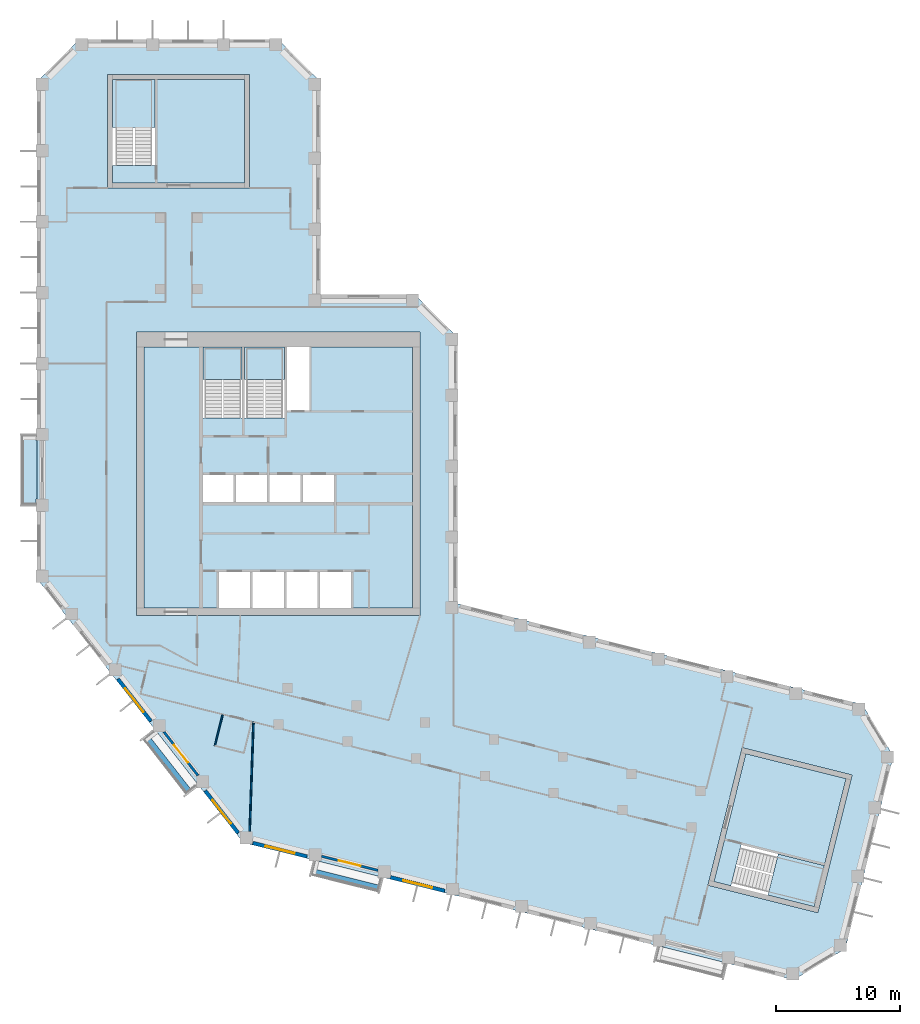
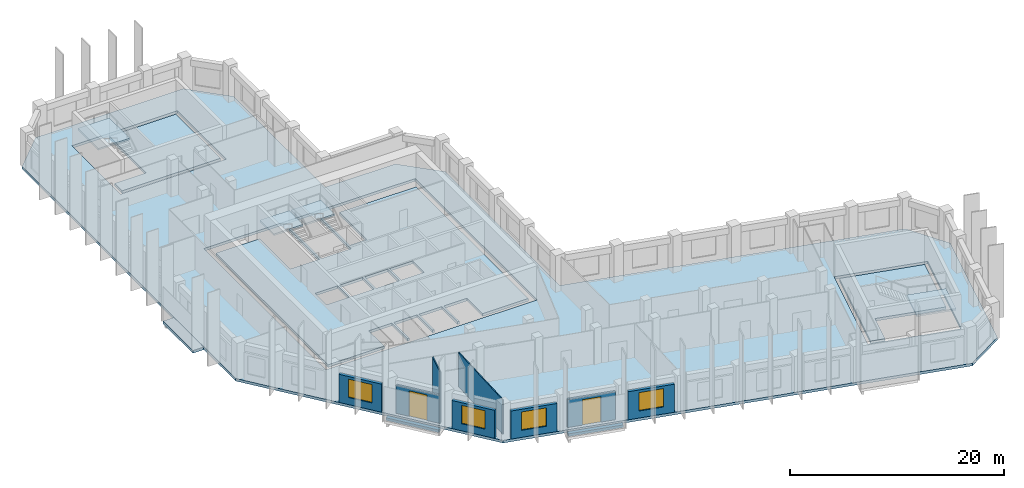
# One storey, part 2 of 9: 10 walls, 9 slabs, 4 windows, 2 doors, 6 openings, 4 elements without a shape of their own.
"""IFC4 building model written with IfcOpenShell, lengths in metres."""

from ifc_helpers import new_model, si_unit, direction, frame, frame_2d, origin, place, context, subcontext, project, spatial, polyline, rectangle, outline, extrude, material, layer, layer_set, type_object, element, fill, aggregate, save


model = new_model("IFC4")

# Units and contexts
model_context = context("Model", 3, precision=1e-05, world=origin(), true_north=direction((0.0, 1.0)))
body_context = subcontext(model_context, "Body", "Model", "MODEL_VIEW")
ifc_project = project(units=[si_unit("LENGTHUNIT", "METRE"), si_unit("AREAUNIT", "SQUARE_METRE"), si_unit("VOLUMEUNIT", "CUBIC_METRE"), si_unit("PLANEANGLEUNIT", "RADIAN"), si_unit("MASSUNIT", "GRAM", prefix="KILO")], contexts=[model_context])

# Site, building, storey
site_placement = place(None, origin())
site = spatial("IfcSite", under=ifc_project, at=site_placement, CompositionType="ELEMENT")
building_placement = place(site_placement, origin())
building = spatial("IfcBuilding", under=site, at=building_placement, Name="Meshkara Civic Tower", CompositionType="ELEMENT")
storey_placement = place(building_placement, frame((0.0, 0.0, 340.199951171875)))
storey = spatial("IfcBuildingStorey", under=building, at=storey_placement, Name="L78", CompositionType="ELEMENT", Elevation=340.199951171875)

# Slabs
ifc_material_1 = material(Name="Concrete C40", Category="concrete")
ifc_layer_1 = layer(ifc_material_1, 0.300048828125)
ifc_layer_set_1 = layer_set([ifc_layer_1], Name="BALCONY SLAB")
slab_type_1 = type_object("IfcSlabType", Name="BALCONY SLAB", PredefinedType="FLOOR", material=ifc_layer_set_1)
slab_1_placement = place(storey_placement, frame((0.0, 0.0, -0.300048828125)))
element("IfcSlab", 1, at=slab_1_placement, inside=storey, type_object=slab_type_1, Name="Balcony slab", PredefinedType="FLOOR", context=body_context, shape_type="SweptSolid", body=[
    extrude(outline(polyline([(-1.199951171875, 23.014892578125), (-1.199951171875, 28.594970703125), (-0.050048828125, 28.594970703125), (-0.050048828125, 28.155029296875), (0.0, 28.155029296875), (0.0, 23.455078125), (-0.050048828125, 23.455078125), (-0.050048828125, 23.014892578125), (-1.199951171875, 23.014892578125)])), origin(), (0.0, 0.0, 1.0), 0.300048828125),
])
ifc_material_2 = material(Name="Concrete C40/50", Category="concrete")
ifc_layer_2 = layer(ifc_material_2, 0.300048828125)
ifc_layer_set_2 = layer_set([ifc_layer_2], Name="Core floor slab 300 C40/50")
slab_type_2 = type_object("IfcSlabType", Name="Core floor slab 300 C40/50", PredefinedType="FLOOR", material=ifc_layer_set_2)
slab_2_placement = place(storey_placement, frame((0.0, 0.0, -0.300048828125)))
element("IfcSlab", 2, at=slab_2_placement, inside=storey, type_object=slab_type_2, Name="Core floor K", PredefinedType="FLOOR", context=body_context, shape_type="SweptSolid", body=[
    extrude(outline(polyline([(8.60009765625, 35.699951171875), (13.35009765625, 35.699951171875), (13.35009765625, 30.00146484375), (16.5, 30.00146484375), (16.5, 35.699951171875), (16.699951171875, 35.699951171875), (16.699951171875, 30.00146484375), (19.89990234375, 30.00146484375), (19.89990234375, 35.699951171875), (20.10009765625, 35.699951171875), (20.10009765625, 30.574951171875), (21.925048828125, 30.574951171875), (21.925048828125, 35.699951171875), (30.199951171875, 35.699951171875), (30.199951171875, 14.699951171875), (25.25, 14.699951171875), (25.25, 17.60009765625), (22.75, 17.60009765625), (22.75, 14.699951171875), (22.550048828125, 14.699951171875), (22.550048828125, 17.60009765625), (20.050048828125, 17.60009765625), (20.050048828125, 14.699951171875), (19.85009765625, 14.699951171875), (19.85009765625, 17.60009765625), (17.35009765625, 17.60009765625), (17.35009765625, 14.699951171875), (17.14990234375, 14.699951171875), (17.14990234375, 17.60009765625), (14.64990234375, 17.60009765625), (14.64990234375, 14.699951171875), (8.60009765625, 14.699951171875), (8.60009765625, 35.699951171875)]), holes=[polyline([(13.35009765625, 23.25), (15.800048828125, 23.25), (15.800048828125, 25.39990234375), (13.35009765625, 25.39990234375), (13.35009765625, 23.25)]), polyline([(18.5, 23.25), (18.5, 25.39990234375), (16.0, 25.39990234375), (16.0, 23.25), (18.5, 23.25)]), polyline([(18.699951171875, 23.25), (21.199951171875, 23.25), (21.199951171875, 25.39990234375), (18.699951171875, 25.39990234375), (18.699951171875, 23.25)]), polyline([(23.89990234375, 23.25), (23.89990234375, 25.39990234375), (21.39990234375, 25.39990234375), (21.39990234375, 23.25), (23.89990234375, 23.25)])]), origin(), (0.0, 0.0, 1.0), 0.300048828125),
])
slab_3_placement = place(storey_placement, frame((0.0, 0.0, -0.300048828125)))
element("IfcSlab", 3, at=slab_3_placement, inside=storey, type_object=slab_type_2, Name="Core floor EA", PredefinedType="FLOOR", context=body_context, shape_type="SweptSolid", body=[
    extrude(outline(polyline([(16.699951171875, 48.8701171875), (16.699951171875, 57.169921875), (9.5, 57.169921875), (9.5, 50.271484375), (6.10009765625, 50.271484375), (6.10009765625, 48.8701171875), (16.699951171875, 48.8701171875)])), origin(), (0.0, 0.0, 1.0), 0.300048828125),
])
slab_4_placement = place(storey_placement, frame((0.0, 0.0, -0.300048828125)))
element("IfcSlab", 4, at=slab_4_placement, inside=storey, type_object=slab_type_2, Name="Core floor EB", PredefinedType="FLOOR", context=body_context, shape_type="SweptSolid", body=[
    extrude(outline(polyline([(56.989013671875, 3.002197265625), (65.04248046875, 0.994384765625), (63.30078125, -5.99169921875), (56.607177734375, -4.322998046875), (55.78466796875, -7.621826171875), (54.4248046875, -7.282958984375), (56.989013671875, 3.002197265625)])), origin(), (0.0, 0.0, 1.0), 0.300048828125),
])

# Stair, slab
ifc_material_3 = material(Name="Precast concrete C40/50", Category="concrete")
stair_type = type_object("IfcStairType", Name="Exit stair half-turn 24 risers precast", PredefinedType="HALF_TURN_STAIR", material=ifc_material_3)
stair_1_placement = place(storey_placement, origin())
stair_1 = element("IfcStair", 5, at=stair_1_placement, inside=storey, type_object=stair_type, Name="L78 exit stair 1", PredefinedType="HALF_TURN_STAIR")
ifc_material_4 = material(Name="Precast concrete C40/50", Category="concrete")
ifc_layer_3 = layer(ifc_material_4, 0.199951171875)
ifc_layer_set_3 = layer_set([ifc_layer_3], Name="Exit stair landing 200")
slab_type_3 = type_object("IfcSlabType", Name="Exit stair landing 200", PredefinedType="LANDING", material=ifc_layer_set_3)
slab_5_placement = place(storey_placement, frame((0.0, 0.0, 1.900146484375)))
slab_5 = element("IfcSlab", 6, at=slab_5_placement, type_object=slab_type_3, Name="ST1 landing 1", PredefinedType="LANDING", context=body_context, shape_type="SweptSolid", body=[
    extrude(outline(polyline([(16.5, 33.07861328125), (16.5, 35.699951171875), (13.35009765625, 35.699951171875), (13.35009765625, 33.07861328125), (16.5, 33.07861328125)])), origin(), (0.0, 0.0, 1.0), 0.199951171875),
])
aggregate(stair_1, [slab_5])

stair_2_placement = place(storey_placement, origin())
stair_2 = element("IfcStair", 7, at=stair_2_placement, inside=storey, type_object=stair_type, Name="L78 exit stair 2", PredefinedType="HALF_TURN_STAIR")
slab_6_placement = place(storey_placement, frame((0.0, 0.0, 1.900146484375)))
slab_6 = element("IfcSlab", 8, at=slab_6_placement, type_object=slab_type_3, Name="ST2 landing 1", PredefinedType="LANDING", context=body_context, shape_type="SweptSolid", body=[
    extrude(outline(polyline([(19.89990234375, 33.07861328125), (19.89990234375, 35.699951171875), (16.699951171875, 35.699951171875), (16.699951171875, 33.07861328125), (19.89990234375, 33.07861328125)])), origin(), (0.0, 0.0, 1.0), 0.199951171875),
])
aggregate(stair_2, [slab_6])

stair_3_placement = place(storey_placement, origin())
stair_3 = element("IfcStair", 9, at=stair_3_placement, inside=storey, type_object=stair_type, Name="L78 exit stair A from L65", PredefinedType="HALF_TURN_STAIR")
slab_7_placement = place(storey_placement, frame((0.0, 0.0, 1.900146484375)))
slab_7 = element("IfcSlab", 10, at=slab_7_placement, type_object=slab_type_3, Name="ESA5 landing 1", PredefinedType="LANDING", context=body_context, shape_type="SweptSolid", body=[
    extrude(outline(polyline([(9.5, 53.348388671875), (9.5, 57.169921875), (6.10009765625, 57.169921875), (6.10009765625, 53.348388671875), (9.5, 53.348388671875)])), origin(), (0.0, 0.0, 1.0), 0.199951171875),
])
aggregate(stair_3, [slab_7])

stair_4_placement = place(storey_placement, origin())
stair_4 = element("IfcStair", 11, at=stair_4_placement, inside=storey, type_object=stair_type, Name="L78 exit stair B from L65", PredefinedType="HALF_TURN_STAIR")
slab_8_placement = place(storey_placement, frame((0.0, 0.0, 1.900146484375)))
slab_8 = element("IfcSlab", 12, at=slab_8_placement, type_object=slab_type_3, Name="ESB5 landing 1", PredefinedType="LANDING", context=body_context, shape_type="SweptSolid", body=[
    extrude(outline(polyline([(58.769775390625, -8.366943359375), (62.477783203125, -9.2919921875), (63.301025390625, -5.991943359375), (59.593017578125, -5.06689453125), (58.769775390625, -8.366943359375)])), origin(), (0.0, 0.0, 1.0), 0.199951171875),
])
aggregate(stair_4, [slab_8])

# Slab
ifc_material_5 = material(Name="Concrete C50", Category="concrete")
ifc_layer_4 = layer(ifc_material_5, 0.300048828125)
ifc_layer_set_4 = layer_set([ifc_layer_4], Name="Post-tensioned flat slab 300 C50")
slab_type_4 = type_object("IfcSlabType", Name="Post-tensioned flat slab 300 C50", PredefinedType="FLOOR", material=ifc_layer_set_4)
slab_9_placement = place(storey_placement, frame((0.0, 0.0, -0.300048828125)))
element("IfcSlab", 13, at=slab_9_placement, inside=storey, type_object=slab_type_4, Name="Post-tensioned flat slab L78", PredefinedType="FLOOR", context=body_context, shape_type="SweptSolid", body=[
    extrude(outline(polyline([(64.98291015625, -12.677001953125), (60.837890625, -15.1689453125), (16.592041015625, -4.136962890625), (0.0, 17.10009765625), (0.0, 57.0), (3.419921875, 60.419921875), (19.3798828125, 60.419921875), (22.800048828125, 57.0), (22.800048828125, 39.89990234375), (30.3798828125, 39.89990234375), (33.800048828125, 36.47998046875), (33.800048828125, 15.071044921875), (66.35302734375, 6.9541015625), (68.843994140625, 2.80810546875), (64.98291015625, -12.677001953125)]), holes=[polyline([(62.77001953125, -9.77587890625), (65.527099609375, 1.285888671875), (56.697998046875, 3.487060546875), (53.93994140625, -7.573974609375), (62.77001953125, -9.77587890625)]), polyline([(8.0, 14.10009765625), (30.800048828125, 14.10009765625), (30.800048828125, 36.89990234375), (8.0, 36.89990234375), (8.0, 14.10009765625)]), polyline([(5.699951171875, 57.570068359375), (5.699951171875, 48.469970703125), (17.10009765625, 48.469970703125), (17.10009765625, 57.570068359375), (5.699951171875, 57.570068359375)])]), origin(), (0.0, 0.0, 1.0), 0.300048828125),
])

# Wall, opening, window
ifc_material_6 = material(Name="Insulated infill panel with bronze anodised aluminium cladding", Category="aluminium")
ifc_layer_5 = layer(ifc_material_6, 0.300048828125)
ifc_layer_set_5 = layer_set([ifc_layer_5], Name="EXTERNAL INFILL WALL 300")
wall_type_1 = type_object("IfcWallType", Name="EXTERNAL INFILL WALL 300", PredefinedType="SOLIDWALL", material=ifc_layer_set_5)
wall_1_placement = place(storey_placement, frame((6.51904296875, 9.0, 0.0), z_axis=(0.0, 0.0, 1.0), x_axis=(0.615634121154, -0.788032124263, 0.0)))
wall_1 = element("IfcWall", 14, at=wall_1_placement, inside=storey, type_object=wall_type_1, Name="External wall", PredefinedType="SOLIDWALL", context=body_context, shape_type="SweptSolid", body=[
    extrude(rectangle(XDim=4.298095703125, YDim=0.300048828125, at=frame_2d((2.14892578125, 0.0))), origin(), (0.0, 0.0, 1.0), 3.199951171875),
])
opening_1_placement = place(wall_1_placement, frame((0.948974609375, 0.0, 0.800048828125)))
opening_1 = element("IfcOpeningElement", 15, at=opening_1_placement, cuts=wall_1, Name="Opening W7", PredefinedType="OPENING", context=body_context, shape_type="SweptSolid", body=[
    extrude(rectangle(XDim=2.39990234375, YDim=2.10009765625, at=frame_2d((1.199951171875, 1.050048828125))), frame((0.0, 0.159912109375, 0.0), z_axis=(0.0, -1.0, 0.0), x_axis=(1.0, 0.0, 0.0)), (0.0, 0.0, 1.0), 0.320068359375),
])
ifc_material_7 = material(Name="Tinted double glazing", Category="glass")
window_type = type_object("IfcWindowType", Name="WINDOW 2400x2100", PartitioningType="DOUBLE_PANEL_VERTICAL", PredefinedType="WINDOW", material=ifc_material_7)
window_1_placement = place(opening_1_placement, origin())
window_1 = element("IfcWindow", 16, at=window_1_placement, inside=storey, type_object=window_type, Name="Window", OverallHeight=2.10009765625, OverallWidth=2.39990234375, PartitioningType="DOUBLE_PANEL_VERTICAL", PredefinedType="WINDOW", context=body_context, shape_type="SweptSolid", body=[
    extrude(rectangle(XDim=2.39990234375, YDim=2.10009765625, at=frame_2d((1.199951171875, 1.050048828125))), frame((0.0, 0.030029296875, 0.0), z_axis=(0.0, -1.0, 0.0), x_axis=(1.0, 0.0, 0.0)), (0.0, 0.0, 1.0), 0.06005859375),
])
fill(opening_1, window_1)

wall_2_placement = place(storey_placement, frame((13.5380859375, 0.01611328125, 0.0), z_axis=(0.0, 0.0, 1.0), x_axis=(0.615713519567, -0.787970089421, 0.0)))
wall_2 = element("IfcWall", 17, at=wall_2_placement, inside=storey, type_object=wall_type_1, Name="External wall", PredefinedType="SOLIDWALL", context=body_context, shape_type="SweptSolid", body=[
    extrude(rectangle(XDim=4.2958984375, YDim=0.300048828125, at=frame_2d((2.14794921875, 0.0))), origin(), (0.0, 0.0, 1.0), 3.199951171875),
])
opening_2_placement = place(wall_2_placement, frame((0.947998046875, 0.0, 0.800048828125)))
opening_2 = element("IfcOpeningElement", 18, at=opening_2_placement, cuts=wall_2, Name="Opening W7", PredefinedType="OPENING", context=body_context, shape_type="SweptSolid", body=[
    extrude(rectangle(XDim=2.39990234375, YDim=2.10009765625, at=frame_2d((1.199951171875, 1.050048828125))), frame((0.0, 0.159912109375, 0.0), z_axis=(0.0, -1.0, 0.0), x_axis=(1.0, 0.0, 0.0)), (0.0, 0.0, 1.0), 0.320068359375),
])
window_2_placement = place(opening_2_placement, origin())
window_2 = element("IfcWindow", 19, at=window_2_placement, inside=storey, type_object=window_type, Name="Window", OverallHeight=2.10009765625, OverallWidth=2.39990234375, PartitioningType="DOUBLE_PANEL_VERTICAL", PredefinedType="WINDOW", context=body_context, shape_type="SweptSolid", body=[
    extrude(rectangle(XDim=2.39990234375, YDim=2.10009765625, at=frame_2d((1.199951171875, 1.050048828125))), frame((0.0, 0.030029296875, 0.0), z_axis=(0.0, -1.0, 0.0), x_axis=(1.0, 0.0, 0.0)), (0.0, 0.0, 1.0), 0.06005859375),
])
fill(opening_2, window_2)

wall_3_placement = place(storey_placement, frame((17.366943359375, -4.176025390625, 0.0), z_axis=(0.0, 0.0, 1.0), x_axis=(0.970327846266, -0.241793032904, 0.0)))
wall_3 = element("IfcWall", 20, at=wall_3_placement, inside=storey, type_object=wall_type_1, Name="External wall", PredefinedType="SOLIDWALL", context=body_context, shape_type="SweptSolid", body=[
    extrude(rectangle(XDim=4.487060546875, YDim=0.300048828125, at=frame_2d((2.24365234375, 0.0))), origin(), (0.0, 0.0, 1.0), 3.199951171875),
])
opening_3_placement = place(wall_3_placement, frame((1.0439453125, 0.0, 0.800048828125)))
opening_3 = element("IfcOpeningElement", 21, at=opening_3_placement, cuts=wall_3, Name="Opening W7", PredefinedType="OPENING", context=body_context, shape_type="SweptSolid", body=[
    extrude(rectangle(XDim=2.39990234375, YDim=2.10009765625, at=frame_2d((1.199951171875, 1.050048828125))), frame((0.0, 0.159912109375, 0.0), z_axis=(0.0, -1.0, 0.0), x_axis=(1.0, 0.0, 0.0)), (0.0, 0.0, 1.0), 0.320068359375),
])
window_3_placement = place(opening_3_placement, origin())
window_3 = element("IfcWindow", 22, at=window_3_placement, inside=storey, type_object=window_type, Name="Window", OverallHeight=2.10009765625, OverallWidth=2.39990234375, PartitioningType="DOUBLE_PANEL_VERTICAL", PredefinedType="WINDOW", context=body_context, shape_type="SweptSolid", body=[
    extrude(rectangle(XDim=2.39990234375, YDim=2.10009765625, at=frame_2d((1.199951171875, 1.050048828125))), frame((0.0, 0.030029296875, 0.0), z_axis=(0.0, -1.0, 0.0), x_axis=(1.0, 0.0, 0.0)), (0.0, 0.0, 1.0), 0.06005859375),
])
fill(opening_3, window_3)

wall_4_placement = place(storey_placement, frame((28.427978515625, -6.93310546875, 0.0), z_axis=(0.0, 0.0, 1.0), x_axis=(0.970276766004, -0.241997928406, 0.0)))
wall_4 = element("IfcWall", 23, at=wall_4_placement, inside=storey, type_object=wall_type_1, Name="External wall", PredefinedType="SOLIDWALL", context=body_context, shape_type="SweptSolid", body=[
    extrude(rectangle(XDim=4.4873046875, YDim=0.300048828125, at=frame_2d((2.24365234375, 0.0))), origin(), (0.0, 0.0, 1.0), 3.199951171875),
])
opening_4_placement = place(wall_4_placement, frame((1.0439453125, 0.0, 0.800048828125)))
opening_4 = element("IfcOpeningElement", 24, at=opening_4_placement, cuts=wall_4, Name="Opening W7", PredefinedType="OPENING", context=body_context, shape_type="SweptSolid", body=[
    extrude(rectangle(XDim=2.39990234375, YDim=2.10009765625, at=frame_2d((1.199951171875, 1.050048828125))), frame((0.0, 0.159912109375, 0.0), z_axis=(0.0, -1.0, 0.0), x_axis=(1.0, 0.0, 0.0)), (0.0, 0.0, 1.0), 0.320068359375),
])
window_4_placement = place(opening_4_placement, origin())
window_4 = element("IfcWindow", 25, at=window_4_placement, inside=storey, type_object=window_type, Name="Window", OverallHeight=2.10009765625, OverallWidth=2.39990234375, PartitioningType="DOUBLE_PANEL_VERTICAL", PredefinedType="WINDOW", context=body_context, shape_type="SweptSolid", body=[
    extrude(rectangle(XDim=2.39990234375, YDim=2.10009765625, at=frame_2d((1.199951171875, 1.050048828125))), frame((0.0, 0.030029296875, 0.0), z_axis=(0.0, -1.0, 0.0), x_axis=(1.0, 0.0, 0.0)), (0.0, 0.0, 1.0), 0.06005859375),
])
fill(opening_4, window_4)

# Wall, opening, door
ifc_material_8 = material(Name="Insulated infill panel with bronze anodised aluminium cladding", Category="aluminium")
ifc_layer_6 = layer(ifc_material_8, 0.199951171875)
ifc_layer_set_6 = layer_set([ifc_layer_6], Name="LOGGIA BACK WALL 200")
wall_type_2 = type_object("IfcWallType", Name="LOGGIA BACK WALL 200", PredefinedType="SOLIDWALL", material=ifc_layer_set_6)
wall_5_placement = place(storey_placement, frame((10.22412109375, 4.7451171875, 0.0), z_axis=(0.0, 0.0, 1.0), x_axis=(0.615545644418, -0.788101236922, 0.0)))
wall_5 = element("IfcWall", 26, at=wall_5_placement, inside=storey, type_object=wall_type_2, Name="Loggia wall", PredefinedType="SOLIDWALL", context=body_context, shape_type="SweptSolid", body=[
    extrude(rectangle(XDim=4.429931640625, YDim=0.199951171875, at=frame_2d((2.21484375, 0.0))), origin(), (0.0, 0.0, 1.0), 3.199951171875),
])
opening_5_placement = place(wall_5_placement, frame((1.31494140625, 0.0, 0.0)))
opening_5 = element("IfcOpeningElement", 27, at=opening_5_placement, cuts=wall_5, Name="Opening L78-L002", PredefinedType="OPENING", context=body_context, shape_type="SweptSolid", body=[
    extrude(rectangle(XDim=1.800048828125, YDim=2.89990234375, at=frame_2d((0.89990234375, 1.449951171875))), frame((0.0, 0.10986328125, 0.0), z_axis=(0.0, -1.0, 0.0), x_axis=(1.0, 0.0, 0.0)), (0.0, 0.0, 1.0), 0.219970703125),
])
ifc_material_9 = material(Name="Tinted double glazing", Category="glass")
door_type = type_object("IfcDoorType", Name="LOGGIA DOOR 1800x2900", OperationType="DOUBLE_DOOR_SINGLE_SWING", PredefinedType="DOOR", material=ifc_material_9)
door_1_placement = place(opening_5_placement, origin())
door_1 = element("IfcDoor", 28, at=door_1_placement, inside=storey, type_object=door_type, Name="L78-L002", OperationType="DOUBLE_DOOR_SINGLE_SWING", OverallHeight=2.89990234375, OverallWidth=1.800048828125, PredefinedType="DOOR", context=body_context, shape_type="SweptSolid", body=[
    extrude(rectangle(XDim=1.800048828125, YDim=2.89990234375, at=frame_2d((0.89990234375, 1.449951171875))), frame((0.0, 0.02490234375, 0.0), z_axis=(0.0, -1.0, 0.0), x_axis=(1.0, 0.0, 0.0)), (0.0, 0.0, 1.0), 0.050048828125),
])
fill(opening_5, door_1)

wall_6_placement = place(storey_placement, frame((22.882080078125, -5.241943359375, 0.0), z_axis=(0.0, 0.0, 1.0), x_axis=(0.970311449929, -0.241858822739, 0.0)))
wall_6 = element("IfcWall", 29, at=wall_6_placement, inside=storey, type_object=wall_type_2, Name="Loggia wall", PredefinedType="SOLIDWALL", context=body_context, shape_type="SweptSolid", body=[
    extrude(rectangle(XDim=4.668701171875, YDim=0.199951171875, at=frame_2d((2.33447265625, 0.0))), origin(), (0.0, 0.0, 1.0), 3.199951171875),
])
opening_6_placement = place(wall_6_placement, frame((1.43408203125, 0.0, 0.0)))
opening_6 = element("IfcOpeningElement", 30, at=opening_6_placement, cuts=wall_6, Name="Opening L78-L003", PredefinedType="OPENING", context=body_context, shape_type="SweptSolid", body=[
    extrude(rectangle(XDim=1.800048828125, YDim=2.89990234375, at=frame_2d((0.89990234375, 1.449951171875))), frame((0.0, 0.10986328125, 0.0), z_axis=(0.0, -1.0, 0.0), x_axis=(1.0, 0.0, 0.0)), (0.0, 0.0, 1.0), 0.219970703125),
])
door_2_placement = place(opening_6_placement, origin())
door_2 = element("IfcDoor", 31, at=door_2_placement, inside=storey, type_object=door_type, Name="L78-L003", OperationType="DOUBLE_DOOR_SINGLE_SWING", OverallHeight=2.89990234375, OverallWidth=1.800048828125, PredefinedType="DOOR", context=body_context, shape_type="SweptSolid", body=[
    extrude(rectangle(XDim=1.800048828125, YDim=2.89990234375, at=frame_2d((0.89990234375, 1.449951171875))), frame((0.0, 0.02490234375, 0.0), z_axis=(0.0, -1.0, 0.0), x_axis=(1.0, 0.0, 0.0)), (0.0, 0.0, 1.0), 0.050048828125),
])
fill(opening_6, door_2)

# Walls
ifc_material_10 = material(Name="Concrete C40", Category="concrete")
ifc_layer_7 = layer(ifc_material_10, 0.39990234375)
ifc_layer_set_7 = layer_set([ifc_layer_7], Name="PLANTER TRAY")
wall_type_3 = type_object("IfcWallType", Name="PLANTER TRAY", PredefinedType="SOLIDWALL", material=ifc_layer_set_7)
wall_7_placement = place(storey_placement, frame((8.889892578125, 4.2919921875, 0.0), z_axis=(0.0, 0.0, 1.0), x_axis=(0.615636085037, -0.788030590016, 0.0)))
element("IfcWall", 32, at=wall_7_placement, inside=storey, type_object=wall_type_3, Name="Planter", PredefinedType="SOLIDWALL", context=body_context, shape_type="SweptSolid", body=[
    extrude(rectangle(XDim=5.35888671875, YDim=0.39990234375, at=frame_2d((2.679443359375, 0.0))), origin(), (0.0, 0.0, 1.0), 0.300048828125),
])
wall_8_placement = place(storey_placement, frame((22.22509765625, -6.447998046875, 0.0), z_axis=(0.0, 0.0, 1.0), x_axis=(0.970268314528, -0.242031811592, 0.0)))
element("IfcWall", 33, at=wall_8_placement, inside=storey, type_object=wall_type_3, Name="Planter", PredefinedType="SOLIDWALL", context=body_context, shape_type="SweptSolid", body=[
    extrude(rectangle(XDim=5.359375, YDim=0.39990234375, at=frame_2d((2.6796875, 0.0))), origin(), (0.0, 0.0, 1.0), 0.300048828125),
])
ifc_material_11 = material(Name="Partition 100")
ifc_layer_8 = layer(ifc_material_11, 0.10009765625)
ifc_layer_set_8 = layer_set([ifc_layer_8], Name="Partition 100")
wall_type_4 = type_object("IfcWallType", Name="Partition 100", PredefinedType="PARTITIONING", material=ifc_layer_set_8)
wall_9_placement = place(storey_placement, frame((14.31201171875, 3.64501953125, 0.0), z_axis=(0.0, 0.0, 1.0), x_axis=(0.241972320765, 0.970283152478, 0.0)))
element("IfcWall", 34, at=wall_9_placement, inside=storey, type_object=wall_type_4, Name="L78-W044", PredefinedType="PARTITIONING", context=body_context, shape_type="SweptSolid", body=[
    extrude(rectangle(XDim=2.549560546875, YDim=0.10009765625, at=frame_2d((1.27490234375, 0.0))), origin(), (0.0, 0.0, 1.0), 3.900146484375),
])
wall_10_placement = place(storey_placement, frame((17.10888671875, -3.238037109375, 0.0), z_axis=(0.0, 0.0, 1.0), x_axis=(0.034812219839, 0.999393870979, 0.0)))
element("IfcWall", 35, at=wall_10_placement, inside=storey, type_object=wall_type_4, Name="L78-W047", PredefinedType="PARTITIONING", context=body_context, shape_type="SweptSolid", body=[
    extrude(rectangle(XDim=8.79443359375, YDim=0.10009765625, at=frame_2d((4.397216796875, 0.0))), origin(), (0.0, 0.0, 1.0), 3.900146484375),
])

save(model, "model.ifc")
